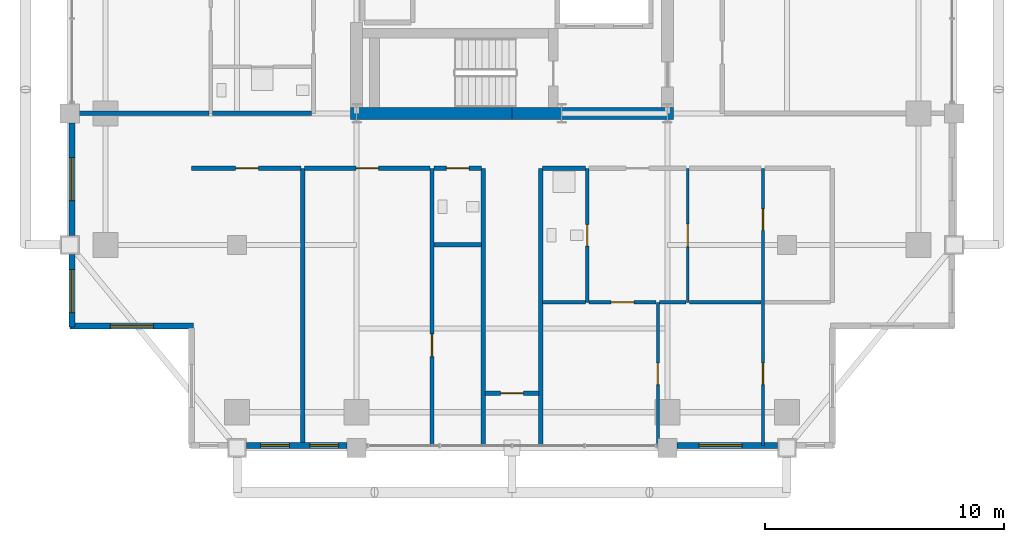
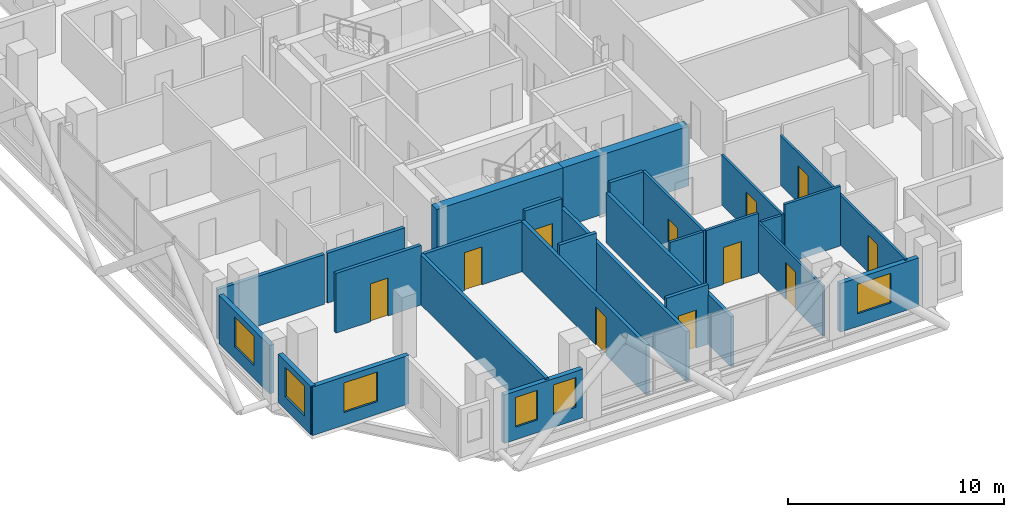
# One storey, part 20 of 26: 27 walls, 11 doors, 6 windows, 17 openings.
"""IFC4 building model written with IfcOpenShell, lengths in metres."""

from ifc_helpers import new_model, si_unit, direction, frame, frame_2d, origin, place, context, subcontext, project, spatial, rectangle, extrude, material, layer, layer_set, type_object, element, fill, save


model = new_model("IFC4")

# Units and contexts
model_context = context("Model", 3, precision=1e-05, world=origin(), true_north=direction((0.0, 1.0)))
body_context = subcontext(model_context, "Body", "Model", "MODEL_VIEW")
ifc_project = project(units=[si_unit("LENGTHUNIT", "METRE"), si_unit("AREAUNIT", "SQUARE_METRE"), si_unit("VOLUMEUNIT", "CUBIC_METRE"), si_unit("PLANEANGLEUNIT", "RADIAN"), si_unit("MASSUNIT", "GRAM", prefix="KILO")], contexts=[model_context])

# Site, building, storey
site_placement = place(None, origin())
site = spatial("IfcSite", under=ifc_project, at=site_placement, CompositionType="ELEMENT")
building_placement = place(site_placement, origin())
building = spatial("IfcBuilding", under=site, at=building_placement, Name="Barlavira Tower and Art Museum", CompositionType="ELEMENT")
storey_placement = place(building_placement, frame((0.0, 0.0, 187.199951171875)))
storey = spatial("IfcBuildingStorey", under=building, at=storey_placement, Name="L48", CompositionType="ELEMENT", Elevation=187.199951171875)

# Wall, opening, door
ifc_material_1 = material(Name="Gypsum acoustic stud partition", Category="gypsum")
ifc_layer_1 = layer(ifc_material_1, 0.1201171875, Name="Gypsum acoustic stud partition")
ifc_layer_set_1 = layer_set([ifc_layer_1], Name="Gypsum acoustic stud partition")
wall_type_1 = type_object("IfcWallType", Name="Apartment Internal Acoustic Partition 120", PredefinedType="PARTITIONING", material=ifc_layer_set_1)
wall_1_placement = place(storey_placement, frame((6.10009765625, -21.39990234375, 0.0), z_axis=(0.0, 0.0, 1.0), x_axis=(0.0, 1.0, 0.0)))
wall_1 = element("IfcWall", 1, at=wall_1_placement, inside=storey, type_object=wall_type_1, Name="L48 Partition Wall 18", PredefinedType="PARTITIONING", context=body_context, shape_type="SweptSolid", body=[
    extrude(rectangle(XDim=6.0, YDim=0.1201171875, at=frame_2d((3.0, 0.0))), origin(), (0.0, 0.0, 1.0), 2.825927734375),
])
opening_1_placement = place(wall_1_placement, frame((2.550048828125, 0.0, 0.0)))
opening_1 = element("IfcOpeningElement", 2, at=opening_1_placement, cuts=wall_1, Name="Opening D-01", PredefinedType="OPENING", context=body_context, shape_type="SweptSolid", body=[
    extrude(rectangle(XDim=0.89990234375, YDim=2.10009765625, at=frame_2d((0.449951171875, 1.050048828125))), frame((0.0, 0.070068359375, 0.0), z_axis=(0.0, -1.0, 0.0), x_axis=(1.0, 0.0, 0.0)), (0.0, 0.0, 1.0), 0.14013671875),
])
ifc_material_2 = material(Name="Engineered coastal hardwood", Category="wood")
door_type_1 = type_object("IfcDoorType", Name="Internal Bedroom Timber Flush Door 900x2100", OperationType="NOTDEFINED", PredefinedType="DOOR", material=ifc_material_2)
door_1_placement = place(opening_1_placement, origin())
door_1 = element("IfcDoor", 3, at=door_1_placement, inside=storey, type_object=door_type_1, Name="Apartment SE1 Bedroom 1 Door", OperationType="SINGLE_SWING_LEFT", OverallHeight=2.10009765625, OverallWidth=0.89990234375, PredefinedType="DOOR", context=body_context, shape_type="SweptSolid", body=[
    extrude(rectangle(XDim=0.89990234375, YDim=2.10009765625, at=frame_2d((0.449951171875, 1.050048828125))), frame((0.0, 0.02490234375, 0.0), z_axis=(0.0, -1.0, 0.0), x_axis=(1.0, 0.0, 0.0)), (0.0, 0.0, 1.0), 0.050048828125),
])
fill(opening_1, door_1)

wall_2_placement = place(storey_placement, frame((7.35009765625, -15.39990234375, 0.0), z_axis=(0.0, 0.0, 1.0), x_axis=(0.0, 1.0, 0.0)))
wall_2 = element("IfcWall", 4, at=wall_2_placement, inside=storey, type_object=wall_type_1, Name="L48 Partition Wall 20", PredefinedType="PARTITIONING", context=body_context, shape_type="SweptSolid", body=[
    extrude(rectangle(XDim=5.599853515625, YDim=0.1201171875, at=frame_2d((2.7998046875, 0.0))), origin(), (0.0, 0.0, 1.0), 2.825927734375),
])
opening_2_placement = place(wall_2_placement, frame((2.324951171875, 0.0, 0.0)))
opening_2 = element("IfcOpeningElement", 5, at=opening_2_placement, cuts=wall_2, Name="Opening D-02", PredefinedType="OPENING", context=body_context, shape_type="SweptSolid", body=[
    extrude(rectangle(XDim=0.949951171875, YDim=2.10009765625, at=frame_2d((0.47509765625, 1.050048828125))), frame((0.0, 0.070068359375, 0.0), z_axis=(0.0, -1.0, 0.0), x_axis=(1.0, 0.0, 0.0)), (0.0, 0.0, 1.0), 0.14013671875),
])
door_type_2 = type_object("IfcDoorType", Name="Living and Salon Glazed-Leaf Door 950x2100", OperationType="NOTDEFINED", PredefinedType="DOOR", material=ifc_material_2)
door_2_placement = place(opening_2_placement, origin())
door_2 = element("IfcDoor", 6, at=door_2_placement, inside=storey, type_object=door_type_2, Name="Apartment SE1 Kitchen Door", OperationType="SINGLE_SWING_RIGHT", OverallHeight=2.10009765625, OverallWidth=0.949951171875, PredefinedType="DOOR", context=body_context, shape_type="SweptSolid", body=[
    extrude(rectangle(XDim=0.949951171875, YDim=2.10009765625, at=frame_2d((0.47509765625, 1.050048828125))), frame((0.0, 0.02490234375, 0.0), z_axis=(0.0, -1.0, 0.0), x_axis=(1.0, 0.0, 0.0)), (0.0, 0.0, 1.0), 0.050048828125),
])
fill(opening_2, door_2)

# Wall, openings, doors
wall_3_placement = place(storey_placement, frame((10.5, -21.39990234375, 0.0), z_axis=(0.0, 0.0, 1.0), x_axis=(0.0, 1.0, 0.0)))
wall_3 = element("IfcWall", 7, at=wall_3_placement, inside=storey, type_object=wall_type_1, Name="L48 Partition Wall 23", PredefinedType="PARTITIONING", context=body_context, shape_type="SweptSolid", body=[
    extrude(rectangle(XDim=11.599853515625, YDim=0.1201171875, at=frame_2d((5.7998046875, 0.0))), origin(), (0.0, 0.0, 1.0), 2.825927734375),
])
opening_3_placement = place(wall_3_placement, frame((9.005859375, 0.0, 0.0)))
opening_3 = element("IfcOpeningElement", 8, at=opening_3_placement, cuts=wall_3, Name="Opening D-01", PredefinedType="OPENING", context=body_context, shape_type="SweptSolid", body=[
    extrude(rectangle(XDim=0.89990234375, YDim=2.10009765625, at=frame_2d((0.449951171875, 1.050048828125))), frame((0.0, 0.070068359375, 0.0), z_axis=(0.0, -1.0, 0.0), x_axis=(1.0, 0.0, 0.0)), (0.0, 0.0, 1.0), 0.14013671875),
])
opening_4_placement = place(wall_3_placement, frame((2.550048828125, 0.0, 0.0)))
opening_4 = element("IfcOpeningElement", 9, at=opening_4_placement, cuts=wall_3, Name="Opening D-01", PredefinedType="OPENING", context=body_context, shape_type="SweptSolid", body=[
    extrude(rectangle(XDim=0.89990234375, YDim=2.10009765625, at=frame_2d((0.449951171875, 1.050048828125))), frame((0.0, 0.070068359375, 0.0), z_axis=(0.0, -1.0, 0.0), x_axis=(1.0, 0.0, 0.0)), (0.0, 0.0, 1.0), 0.14013671875),
])
door_3_placement = place(opening_3_placement, origin())
door_3 = element("IfcDoor", 10, at=door_3_placement, inside=storey, type_object=door_type_1, Name="Apartment SE1 Walk-In Dressing Room Door", OperationType="SINGLE_SWING_LEFT", OverallHeight=2.10009765625, OverallWidth=0.89990234375, PredefinedType="DOOR", context=body_context, shape_type="SweptSolid", body=[
    extrude(rectangle(XDim=0.89990234375, YDim=2.10009765625, at=frame_2d((0.449951171875, 1.050048828125))), frame((0.0, 0.02490234375, 0.0), z_axis=(0.0, -1.0, 0.0), x_axis=(1.0, 0.0, 0.0)), (0.0, 0.0, 1.0), 0.050048828125),
])
fill(opening_3, door_3)
door_4_placement = place(opening_4_placement, origin())
door_4 = element("IfcDoor", 11, at=door_4_placement, inside=storey, type_object=door_type_1, Name="Apartment SE1 Bedroom 2 Door", OperationType="SINGLE_SWING_RIGHT", OverallHeight=2.10009765625, OverallWidth=0.89990234375, PredefinedType="DOOR", context=body_context, shape_type="SweptSolid", body=[
    extrude(rectangle(XDim=0.89990234375, YDim=2.10009765625, at=frame_2d((0.449951171875, 1.050048828125))), frame((0.0, 0.02490234375, 0.0), z_axis=(0.0, -1.0, 0.0), x_axis=(1.0, 0.0, 0.0)), (0.0, 0.0, 1.0), 0.050048828125),
])
fill(opening_4, door_4)

# Walls
ifc_material_3 = material(Name="Concrete C60", Category="concrete")
ifc_layer_2 = layer(ifc_material_3, 0.5, Name="Concrete C60")
ifc_layer_set_2 = layer_set([ifc_layer_2], Name="Concrete C60")
wall_type_2 = type_object("IfcWallType", Name="Core Structural Shear Wall 500 Concrete C60", PredefinedType="SHEAR", material=ifc_layer_set_2)
for number, where, z_axis, x_axis, name in (
    (12, (-6.75, -7.5, 0.0), (0.0, 0.0, 1.0), (1.0, 0.0, 0.0), "L48 Core Shear Wall CS-SW"),
    (13, (0.0, -7.5, 0.0), (0.0, 0.0, 1.0), (1.0, 0.0, 0.0), "L48 Core Shear Wall CS-SE"),
):
    element("IfcWall", number, at=place(storey_placement, frame(where, z_axis=z_axis, x_axis=x_axis)), inside=storey, type_object=wall_type_2, Name=name, PredefinedType="SHEAR", context=body_context, shape_type="SweptSolid", body=[
        extrude(rectangle(XDim=6.75, YDim=0.5, at=frame_2d((3.375, 0.0))), origin(), (0.0, 0.0, 1.0), 3.380126953125),
    ])
ifc_layer_3 = layer(ifc_material_1, 0.179931640625, Name="Gypsum acoustic stud partition")
ifc_layer_set_3 = layer_set([ifc_layer_3], Name="Gypsum acoustic stud partition")
wall_type_3 = type_object("IfcWallType", Name="Inter-Tenancy Party Partition Wall 180", PredefinedType="PARTITIONING", material=ifc_layer_set_3)
wall_4_placement = place(storey_placement, frame((-8.75, -21.39990234375, 0.0), z_axis=(0.0, 0.0, 1.0), x_axis=(0.0, 1.0, 0.0)))
element("IfcWall", 14, at=wall_4_placement, inside=storey, type_object=wall_type_3, Name="L48 Partition Wall 4", PredefinedType="PARTITIONING", context=body_context, shape_type="SweptSolid", body=[
    extrude(rectangle(XDim=11.599853515625, YDim=0.179931640625, at=frame_2d((5.7998046875, 0.0))), origin(), (0.0, 0.0, 1.0), 2.825927734375),
])

# Wall, opening, door
wall_5_placement = place(storey_placement, frame((-3.35009765625, -21.39990234375, 0.0), z_axis=(0.0, 0.0, 1.0), x_axis=(0.0, 1.0, 0.0)))
wall_5 = element("IfcWall", 15, at=wall_5_placement, inside=storey, type_object=wall_type_3, Name="L48 Partition Wall 10", PredefinedType="PARTITIONING", context=body_context, shape_type="SweptSolid", body=[
    extrude(rectangle(XDim=11.599853515625, YDim=0.179931640625, at=frame_2d((5.7998046875, 0.0))), origin(), (0.0, 0.0, 1.0), 2.825927734375),
])
opening_5_placement = place(wall_5_placement, frame((3.72509765625, 0.0, 0.0)))
opening_5 = element("IfcOpeningElement", 16, at=opening_5_placement, cuts=wall_5, Name="Opening FD-60", PredefinedType="OPENING", context=body_context, shape_type="SweptSolid", body=[
    extrude(rectangle(XDim=0.949951171875, YDim=2.14990234375, at=frame_2d((0.47509765625, 1.074951171875))), frame((0.0, 0.10009765625, 0.0), z_axis=(0.0, -1.0, 0.0), x_axis=(1.0, 0.0, 0.0)), (0.0, 0.0, 1.0), 0.199951171875),
])
ifc_material_4 = material(Name="Brushed stainless steel", Category="steel")
door_type_3 = type_object("IfcDoorType", Name="Apartment Entrance and Riser Fire Door 950x2150 FD60S", OperationType="NOTDEFINED", PredefinedType="DOOR", material=ifc_material_4)
door_5_placement = place(opening_5_placement, origin())
door_5 = element("IfcDoor", 17, at=door_5_placement, inside=storey, type_object=door_type_3, Name="Thermal Relaxation Lounge Door", OperationType="SINGLE_SWING_LEFT", OverallHeight=2.14990234375, OverallWidth=0.949951171875, PredefinedType="DOOR", context=body_context, shape_type="SweptSolid", body=[
    extrude(rectangle(XDim=0.949951171875, YDim=2.14990234375, at=frame_2d((0.47509765625, 1.074951171875))), frame((0.0, 0.02490234375, 0.0), z_axis=(0.0, -1.0, 0.0), x_axis=(1.0, 0.0, 0.0)), (0.0, 0.0, 1.0), 0.050048828125),
])
fill(opening_5, door_5)

# Walls
for number, where, z_axis, x_axis, name in (
    (18, (-1.199951171875, -21.39990234375, 0.0), (0.0, 0.0, 1.0), (0.0, 1.0, 0.0), "L48 Partition Wall 11"),
    (19, (1.199951171875, -21.39990234375, 0.0), (0.0, 0.0, 1.0), (0.0, 1.0, 0.0), "L48 Partition Wall 13"),
):
    element("IfcWall", number, at=place(storey_placement, frame(where, z_axis=z_axis, x_axis=x_axis)), inside=storey, type_object=wall_type_3, Name=name, PredefinedType="PARTITIONING", context=body_context, shape_type="SweptSolid", body=[
        extrude(rectangle(XDim=11.599853515625, YDim=0.179931640625, at=frame_2d((5.7998046875, 0.0))), origin(), (0.0, 0.0, 1.0), 2.825927734375),
    ])

# Wall, opening, door
wall_6_placement = place(storey_placement, frame((-1.1201171875, -19.199951171875, 0.0), z_axis=(0.0, 0.0, 1.0), x_axis=(1.0, 0.0, 0.0)))
wall_6 = element("IfcWall", 20, at=wall_6_placement, inside=storey, type_object=wall_type_3, Name="L48 Partition Wall 27", PredefinedType="PARTITIONING", context=body_context, shape_type="SweptSolid", body=[
    extrude(rectangle(XDim=2.240234375, YDim=0.179931640625, at=frame_2d((1.1201171875, 0.0))), origin(), (0.0, 0.0, 1.0), 3.380126953125),
])
opening_6_placement = place(wall_6_placement, frame((0.64501953125, 0.0, 0.0)))
opening_6 = element("IfcOpeningElement", 21, at=opening_6_placement, cuts=wall_6, Name="Opening FD-60", PredefinedType="OPENING", context=body_context, shape_type="SweptSolid", body=[
    extrude(rectangle(XDim=0.949951171875, YDim=2.14990234375, at=frame_2d((0.47509765625, 1.074951171875))), frame((0.0, 0.10009765625, 0.0), z_axis=(0.0, -1.0, 0.0), x_axis=(1.0, 0.0, 0.0)), (0.0, 0.0, 1.0), 0.199951171875),
])
door_6_placement = place(opening_6_placement, origin())
door_6 = element("IfcDoor", 22, at=door_6_placement, inside=storey, type_object=door_type_3, Name="L48 South Horizon Reading Alcove Door", OperationType="SINGLE_SWING_LEFT", OverallHeight=2.14990234375, OverallWidth=0.949951171875, PredefinedType="DOOR", context=body_context, shape_type="SweptSolid", body=[
    extrude(rectangle(XDim=0.949951171875, YDim=2.14990234375, at=frame_2d((0.47509765625, 1.074951171875))), frame((0.0, 0.02490234375, 0.0), z_axis=(0.0, -1.0, 0.0), x_axis=(1.0, 0.0, 0.0)), (0.0, 0.0, 1.0), 0.050048828125),
])
fill(opening_6, door_6)

# Wall
wall_7_placement = place(storey_placement, frame((-3.27001953125, -13.0, 0.0), z_axis=(0.0, 0.0, 1.0), x_axis=(1.0, 0.0, 0.0)))
element("IfcWall", 23, at=wall_7_placement, inside=storey, type_object=wall_type_3, Name="L48 Partition Wall 33", PredefinedType="PARTITIONING", context=body_context, shape_type="SweptSolid", body=[
    extrude(rectangle(XDim=1.989990234375, YDim=0.179931640625, at=frame_2d((0.9951171875, 0.0))), origin(), (0.0, 0.0, 1.0), 3.380126953125),
])

# Wall, opening, door
wall_8_placement = place(storey_placement, frame((-13.39990234375, -9.800048828125, 0.0), z_axis=(0.0, 0.0, 1.0), x_axis=(1.0, 0.0, 0.0)))
wall_8 = element("IfcWall", 24, at=wall_8_placement, inside=storey, type_object=wall_type_3, Name="L48 Partition Wall 34", PredefinedType="PARTITIONING", context=body_context, shape_type="SweptSolid", body=[
    extrude(rectangle(XDim=4.56982421875, YDim=0.179931640625, at=frame_2d((2.284912109375, 0.0))), origin(), (0.0, 0.0, 1.0), 3.380126953125),
])
opening_7_placement = place(wall_8_placement, frame((1.844970703125, 0.0, 0.0)))
opening_7 = element("IfcOpeningElement", 25, at=opening_7_placement, cuts=wall_8, Name="Opening FD-60", PredefinedType="OPENING", context=body_context, shape_type="SweptSolid", body=[
    extrude(rectangle(XDim=0.949951171875, YDim=2.14990234375, at=frame_2d((0.47509765625, 1.074951171875))), frame((0.0, 0.10009765625, 0.0), z_axis=(0.0, -1.0, 0.0), x_axis=(1.0, 0.0, 0.0)), (0.0, 0.0, 1.0), 0.199951171875),
])
door_7_placement = place(opening_7_placement, origin())
door_7 = element("IfcDoor", 26, at=door_7_placement, inside=storey, type_object=door_type_3, Name="Resident Ocean-View Fitness Studio Door", OperationType="SINGLE_SWING_RIGHT", OverallHeight=2.14990234375, OverallWidth=0.949951171875, PredefinedType="DOOR", context=body_context, shape_type="SweptSolid", body=[
    extrude(rectangle(XDim=0.949951171875, YDim=2.14990234375, at=frame_2d((0.47509765625, 1.074951171875))), frame((0.0, 0.02490234375, 0.0), z_axis=(0.0, -1.0, 0.0), x_axis=(1.0, 0.0, 0.0)), (0.0, 0.0, 1.0), 0.050048828125),
])
fill(opening_7, door_7)

wall_9_placement = place(storey_placement, frame((-8.669921875, -9.800048828125, 0.0), z_axis=(0.0, 0.0, 1.0), x_axis=(1.0, 0.0, 0.0)))
wall_9 = element("IfcWall", 27, at=wall_9_placement, inside=storey, type_object=wall_type_3, Name="L48 Partition Wall 35", PredefinedType="PARTITIONING", context=body_context, shape_type="SweptSolid", body=[
    extrude(rectangle(XDim=5.239990234375, YDim=0.179931640625, at=frame_2d((2.6201171875, 0.0))), origin(), (0.0, 0.0, 1.0), 2.825927734375),
])
opening_8_placement = place(wall_9_placement, frame((2.14501953125, 0.0, 0.0)))
opening_8 = element("IfcOpeningElement", 28, at=opening_8_placement, cuts=wall_9, Name="Opening FD-60", PredefinedType="OPENING", context=body_context, shape_type="SweptSolid", body=[
    extrude(rectangle(XDim=0.949951171875, YDim=2.14990234375, at=frame_2d((0.47509765625, 1.074951171875))), frame((0.0, 0.10009765625, 0.0), z_axis=(0.0, -1.0, 0.0), x_axis=(1.0, 0.0, 0.0)), (0.0, 0.0, 1.0), 0.199951171875),
])
door_8_placement = place(opening_8_placement, origin())
door_8 = element("IfcDoor", 29, at=door_8_placement, inside=storey, type_object=door_type_3, Name="Coastal Hydrotherapy and Yoga Lounge Door", OperationType="SINGLE_SWING_LEFT", OverallHeight=2.14990234375, OverallWidth=0.949951171875, PredefinedType="DOOR", context=body_context, shape_type="SweptSolid", body=[
    extrude(rectangle(XDim=0.949951171875, YDim=2.14990234375, at=frame_2d((0.47509765625, 1.074951171875))), frame((0.0, 0.02490234375, 0.0), z_axis=(0.0, -1.0, 0.0), x_axis=(1.0, 0.0, 0.0)), (0.0, 0.0, 1.0), 0.050048828125),
])
fill(opening_8, door_8)

wall_10_placement = place(storey_placement, frame((-3.27001953125, -9.800048828125, 0.0), z_axis=(0.0, 0.0, 1.0), x_axis=(1.0, 0.0, 0.0)))
wall_10 = element("IfcWall", 30, at=wall_10_placement, inside=storey, type_object=wall_type_3, Name="L48 Partition Wall 36", PredefinedType="PARTITIONING", context=body_context, shape_type="SweptSolid", body=[
    extrude(rectangle(XDim=1.989990234375, YDim=0.179931640625, at=frame_2d((0.9951171875, 0.0))), origin(), (0.0, 0.0, 1.0), 3.380126953125),
])
opening_9_placement = place(wall_10_placement, frame((0.52490234375, 0.0, 0.0)))
opening_9 = element("IfcOpeningElement", 31, at=opening_9_placement, cuts=wall_10, Name="Opening FD-60", PredefinedType="OPENING", context=body_context, shape_type="SweptSolid", body=[
    extrude(rectangle(XDim=0.949951171875, YDim=2.14990234375, at=frame_2d((0.47509765625, 1.074951171875))), frame((0.0, 0.10009765625, 0.0), z_axis=(0.0, -1.0, 0.0), x_axis=(1.0, 0.0, 0.0)), (0.0, 0.0, 1.0), 0.199951171875),
])
door_9_placement = place(opening_9_placement, origin())
door_9 = element("IfcDoor", 32, at=door_9_placement, inside=storey, type_object=door_type_3, Name="Wellness Changing and Accessible Shower WC Door", OperationType="SINGLE_SWING_RIGHT", OverallHeight=2.14990234375, OverallWidth=0.949951171875, PredefinedType="DOOR", context=body_context, shape_type="SweptSolid", body=[
    extrude(rectangle(XDim=0.949951171875, YDim=2.14990234375, at=frame_2d((0.47509765625, 1.074951171875))), frame((0.0, 0.02490234375, 0.0), z_axis=(0.0, -1.0, 0.0), x_axis=(1.0, 0.0, 0.0)), (0.0, 0.0, 1.0), 0.050048828125),
])
fill(opening_9, door_9)

# Walls
wall_11_placement = place(storey_placement, frame((1.280029296875, -9.800048828125, 0.0), z_axis=(0.0, 0.0, 1.0), x_axis=(1.0, 0.0, 0.0)))
element("IfcWall", 33, at=wall_11_placement, inside=storey, type_object=wall_type_3, Name="L48 Partition Wall 37", PredefinedType="PARTITIONING", context=body_context, shape_type="SweptSolid", body=[
    extrude(rectangle(XDim=1.7900390625, YDim=0.179931640625, at=frame_2d((0.89501953125, 0.0))), origin(), (0.0, 0.0, 1.0), 3.380126953125),
])
wall_12_placement = place(storey_placement, frame((-18.39990234375, -7.5, 0.0), z_axis=(0.0, 0.0, 1.0), x_axis=(1.0, 0.0, 0.0)))
element("IfcWall", 34, at=wall_12_placement, inside=storey, type_object=wall_type_3, Name="L48 Partition Wall 41", PredefinedType="PARTITIONING", context=body_context, shape_type="SweptSolid", body=[
    extrude(rectangle(XDim=5.719970703125, YDim=0.179931640625, at=frame_2d((2.85986328125, 0.0))), origin(), (0.0, 0.0, 1.0), 2.825927734375),
])
wall_13_placement = place(storey_placement, frame((-12.52001953125, -7.5, 0.0), z_axis=(0.0, 0.0, 1.0), x_axis=(1.0, 0.0, 0.0)))
element("IfcWall", 35, at=wall_13_placement, inside=storey, type_object=wall_type_3, Name="L48 Partition Wall 42", PredefinedType="PARTITIONING", context=body_context, shape_type="SweptSolid", body=[
    extrude(rectangle(XDim=4.14013671875, YDim=0.179931640625, at=frame_2d((2.070068359375, 0.0))), origin(), (0.0, 0.0, 1.0), 2.825927734375),
])

# Wall, opening, door
ifc_layer_4 = layer(ifc_material_1, 0.139892578125, Name="Gypsum acoustic stud partition")
ifc_layer_set_4 = layer_set([ifc_layer_4], Name="Gypsum acoustic stud partition")
wall_type_4 = type_object("IfcWallType", Name="Moisture-Resistant Bathroom Partition 140", PredefinedType="PARTITIONING", material=ifc_layer_set_4)
wall_14_placement = place(storey_placement, frame((3.14990234375, -15.39990234375, 0.0), z_axis=(0.0, 0.0, 1.0), x_axis=(0.0, 1.0, 0.0)))
wall_14 = element("IfcWall", 36, at=wall_14_placement, inside=storey, type_object=wall_type_4, Name="L48 Partition Wall 15", PredefinedType="PARTITIONING", context=body_context, shape_type="SweptSolid", body=[
    extrude(rectangle(XDim=5.599853515625, YDim=0.139892578125, at=frame_2d((2.7998046875, 0.0))), origin(), (0.0, 0.0, 1.0), 3.380126953125),
])
opening_10_placement = place(wall_14_placement, frame((2.35009765625, 0.0, 0.0)))
opening_10 = element("IfcOpeningElement", 37, at=opening_10_placement, cuts=wall_14, Name="Opening D-WC", PredefinedType="OPENING", context=body_context, shape_type="SweptSolid", body=[
    extrude(rectangle(XDim=0.89990234375, YDim=2.10009765625, at=frame_2d((0.449951171875, 1.050048828125))), frame((0.0, 0.080078125, 0.0), z_axis=(0.0, -1.0, 0.0), x_axis=(1.0, 0.0, 0.0)), (0.0, 0.0, 1.0), 0.159912109375),
])
door_type_4 = type_object("IfcDoorType", Name="Accessible Bathroom Flush Door 900x2100", OperationType="NOTDEFINED", PredefinedType="DOOR", material=ifc_material_2)
door_10_placement = place(opening_10_placement, origin())
door_10 = element("IfcDoor", 38, at=door_10_placement, inside=storey, type_object=door_type_4, Name="Apartment SE1 Hall Bathroom Door", OperationType="SINGLE_SWING_RIGHT", OverallHeight=2.10009765625, OverallWidth=0.89990234375, PredefinedType="DOOR", context=body_context, shape_type="SweptSolid", body=[
    extrude(rectangle(XDim=0.89990234375, YDim=2.10009765625, at=frame_2d((0.449951171875, 1.050048828125))), frame((0.0, 0.02490234375, 0.0), z_axis=(0.0, -1.0, 0.0), x_axis=(1.0, 0.0, 0.0)), (0.0, 0.0, 1.0), 0.050048828125),
])
fill(opening_10, door_10)

# Wall
wall_15_placement = place(storey_placement, frame((1.280029296875, -15.39990234375, 0.0), z_axis=(0.0, 0.0, 1.0), x_axis=(1.0, 0.0, 0.0)))
element("IfcWall", 39, at=wall_15_placement, inside=storey, type_object=wall_type_4, Name="L48 Partition Wall 28", PredefinedType="PARTITIONING", context=body_context, shape_type="SweptSolid", body=[
    extrude(rectangle(XDim=1.7900390625, YDim=0.139892578125, at=frame_2d((0.89501953125, 0.0))), origin(), (0.0, 0.0, 1.0), 3.380126953125),
])

# Wall, opening, door
wall_16_placement = place(storey_placement, frame((3.22998046875, -15.39990234375, 0.0), z_axis=(0.0, 0.0, 1.0), x_axis=(1.0, 0.0, 0.0)))
wall_16 = element("IfcWall", 40, at=wall_16_placement, inside=storey, type_object=wall_type_4, Name="L48 Partition Wall 29", PredefinedType="PARTITIONING", context=body_context, shape_type="SweptSolid", body=[
    extrude(rectangle(XDim=2.7900390625, YDim=0.139892578125, at=frame_2d((1.39501953125, 0.0))), origin(), (0.0, 0.0, 1.0), 3.380126953125),
])
opening_11_placement = place(wall_16_placement, frame((0.9150390625, 0.0, 0.0)))
opening_11 = element("IfcOpeningElement", 41, at=opening_11_placement, cuts=wall_16, Name="Opening D-02", PredefinedType="OPENING", context=body_context, shape_type="SweptSolid", body=[
    extrude(rectangle(XDim=0.949951171875, YDim=2.10009765625, at=frame_2d((0.47509765625, 1.050048828125))), frame((0.0, 0.080078125, 0.0), z_axis=(0.0, -1.0, 0.0), x_axis=(1.0, 0.0, 0.0)), (0.0, 0.0, 1.0), 0.159912109375),
])
door_11_placement = place(opening_11_placement, origin())
door_11 = element("IfcDoor", 42, at=door_11_placement, inside=storey, type_object=door_type_2, Name="Apartment SE1 Living Lounge Door", OperationType="SINGLE_SWING_RIGHT", OverallHeight=2.10009765625, OverallWidth=0.949951171875, PredefinedType="DOOR", context=body_context, shape_type="SweptSolid", body=[
    extrude(rectangle(XDim=0.949951171875, YDim=2.10009765625, at=frame_2d((0.47509765625, 1.050048828125))), frame((0.0, 0.02490234375, 0.0), z_axis=(0.0, -1.0, 0.0), x_axis=(1.0, 0.0, 0.0)), (0.0, 0.0, 1.0), 0.050048828125),
])
fill(opening_11, door_11)

# Walls
wall_17_placement = place(storey_placement, frame((6.179931640625, -15.39990234375, 0.0), z_axis=(0.0, 0.0, 1.0), x_axis=(1.0, 0.0, 0.0)))
element("IfcWall", 43, at=wall_17_placement, inside=storey, type_object=wall_type_4, Name="L48 Partition Wall 30", PredefinedType="PARTITIONING", context=body_context, shape_type="SweptSolid", body=[
    extrude(rectangle(XDim=1.090087890625, YDim=0.139892578125, at=frame_2d((0.544921875, 0.0))), origin(), (0.0, 0.0, 1.0), 2.825927734375),
])
wall_18_placement = place(storey_placement, frame((7.429931640625, -15.39990234375, 0.0), z_axis=(0.0, 0.0, 1.0), x_axis=(1.0, 0.0, 0.0)))
element("IfcWall", 44, at=wall_18_placement, inside=storey, type_object=wall_type_4, Name="L48 Partition Wall 31", PredefinedType="PARTITIONING", context=body_context, shape_type="SweptSolid", body=[
    extrude(rectangle(XDim=2.989990234375, YDim=0.139892578125, at=frame_2d((1.4951171875, 0.0))), origin(), (0.0, 0.0, 1.0), 3.380126953125),
])

# Wall, openings, windows
ifc_material_5 = material(Name="Precast concrete C40", Category="concrete")
ifc_layer_5 = layer(ifc_material_5, 0.25, Name="Precast concrete C40")
ifc_layer_set_5 = layer_set([ifc_layer_5], Name="Precast concrete C40")
wall_type_5 = type_object("IfcWallType", Name="Notched Corner Spandrel Wall 250 Precast Concrete C40", PredefinedType="SOLIDWALL", material=ifc_layer_set_5)
wall_19_placement = place(storey_placement, frame((-11.10498046875, -21.39990234375, 0.0), z_axis=(0.0, 0.0, 1.0), x_axis=(1.0, 0.0, 0.0)))
wall_19 = element("IfcWall", 45, at=wall_19_placement, inside=storey, type_object=wall_type_5, Name="L48 Coastal Facade Pier Wall CW3-L48-S-2", PredefinedType="SOLIDWALL", context=body_context, shape_type="SweptSolid", body=[
    extrude(rectangle(XDim=4.2099609375, YDim=0.25, at=frame_2d((2.10498046875, 0.0))), origin(), (0.0, 0.0, 1.0), 2.748046875),
])
opening_12_placement = place(wall_19_placement, frame((0.594970703125, 0.0, 0.719970703125)))
opening_12 = element("IfcOpeningElement", 46, at=opening_12_placement, cuts=wall_19, Name="Opening WN-05", PredefinedType="OPENING", context=body_context, shape_type="SweptSolid", body=[
    extrude(rectangle(XDim=1.199951171875, YDim=1.679931640625, at=frame_2d((0.60009765625, 0.83984375))), frame((0.0, 0.135009765625, 0.0), z_axis=(0.0, -1.0, 0.0), x_axis=(1.0, 0.0, 0.0)), (0.0, 0.0, 1.0), 0.27001953125),
])
opening_13_placement = place(wall_19_placement, frame((2.655029296875, 0.0, 0.719970703125)))
opening_13 = element("IfcOpeningElement", 47, at=opening_13_placement, cuts=wall_19, Name="Opening WN-05", PredefinedType="OPENING", context=body_context, shape_type="SweptSolid", body=[
    extrude(rectangle(XDim=1.199951171875, YDim=1.679931640625, at=frame_2d((0.60009765625, 0.83984375))), frame((0.0, 0.135009765625, 0.0), z_axis=(0.0, -1.0, 0.0), x_axis=(1.0, 0.0, 0.0)), (0.0, 0.0, 1.0), 0.27001953125),
])
ifc_material_6 = material(Name="Low-iron coastal laminated glass", Category="glass")
window_type_1 = type_object("IfcWindowType", Name="Recessed Flank Pier Punch Window 1200x1680", PartitioningType="SINGLE_PANEL", PredefinedType="WINDOW", material=ifc_material_6)
window_1_placement = place(opening_12_placement, origin())
window_1 = element("IfcWindow", 48, at=window_1_placement, inside=storey, type_object=window_type_1, Name="L48 Punched Facade Window EWP-CW3-L48-S-2-1", OverallHeight=1.679931640625, OverallWidth=1.199951171875, PartitioningType="SINGLE_PANEL", PredefinedType="WINDOW", context=body_context, shape_type="SweptSolid", body=[
    extrude(rectangle(XDim=1.199951171875, YDim=1.679931640625, at=frame_2d((0.60009765625, 0.83984375))), frame((0.0, 0.030029296875, 0.0), z_axis=(0.0, -1.0, 0.0), x_axis=(1.0, 0.0, 0.0)), (0.0, 0.0, 1.0), 0.06005859375),
])
fill(opening_12, window_1)
window_2_placement = place(opening_13_placement, origin())
window_2 = element("IfcWindow", 49, at=window_2_placement, inside=storey, type_object=window_type_1, Name="L48 Punched Facade Window EWP-CW3-L48-S-2-2", OverallHeight=1.679931640625, OverallWidth=1.199951171875, PartitioningType="SINGLE_PANEL", PredefinedType="WINDOW", context=body_context, shape_type="SweptSolid", body=[
    extrude(rectangle(XDim=1.199951171875, YDim=1.679931640625, at=frame_2d((0.60009765625, 0.83984375))), frame((0.0, 0.030029296875, 0.0), z_axis=(0.0, -1.0, 0.0), x_axis=(1.0, 0.0, 0.0)), (0.0, 0.0, 1.0), 0.06005859375),
])
fill(opening_13, window_2)

# Wall, opening, window
wall_20_placement = place(storey_placement, frame((6.89501953125, -21.39990234375, 0.0), z_axis=(0.0, 0.0, 1.0), x_axis=(1.0, 0.0, 0.0)))
wall_20 = element("IfcWall", 50, at=wall_20_placement, inside=storey, type_object=wall_type_5, Name="L48 Coastal Facade Pier Wall CW3-L48-S-4", PredefinedType="SOLIDWALL", context=body_context, shape_type="SweptSolid", body=[
    extrude(rectangle(XDim=4.2099609375, YDim=0.25, at=frame_2d((2.10498046875, 0.0))), origin(), (0.0, 0.0, 1.0), 2.748046875),
])
opening_14_placement = place(wall_20_placement, frame((0.93505859375, 0.0, 0.719970703125)))
opening_14 = element("IfcOpeningElement", 51, at=opening_14_placement, cuts=wall_20, Name="Opening WN-01", PredefinedType="OPENING", context=body_context, shape_type="SweptSolid", body=[
    extrude(rectangle(XDim=1.800048828125, YDim=1.679931640625, at=frame_2d((0.89990234375, 0.83984375))), frame((0.0, 0.135009765625, 0.0), z_axis=(0.0, -1.0, 0.0), x_axis=(1.0, 0.0, 0.0)), (0.0, 0.0, 1.0), 0.27001953125),
])
window_type_2 = type_object("IfcWindowType", Name="Recessed Notch Corner Punch Window 1800x1680", PartitioningType="SINGLE_PANEL", PredefinedType="WINDOW", material=ifc_material_6)
window_3_placement = place(opening_14_placement, origin())
window_3 = element("IfcWindow", 52, at=window_3_placement, inside=storey, type_object=window_type_2, Name="L48 Punched Facade Window EWP-CW3-L48-S-4-1", OverallHeight=1.679931640625, OverallWidth=1.800048828125, PartitioningType="SINGLE_PANEL", PredefinedType="WINDOW", context=body_context, shape_type="SweptSolid", body=[
    extrude(rectangle(XDim=1.800048828125, YDim=1.679931640625, at=frame_2d((0.89990234375, 0.83984375))), frame((0.0, 0.030029296875, 0.0), z_axis=(0.0, -1.0, 0.0), x_axis=(1.0, 0.0, 0.0)), (0.0, 0.0, 1.0), 0.06005859375),
])
fill(opening_14, window_3)

wall_21_placement = place(storey_placement, frame((-18.39990234375, -7.89501953125, 0.0), z_axis=(0.0, 0.0, 1.0), x_axis=(0.0, -1.0, 0.0)))
wall_21 = element("IfcWall", 53, at=wall_21_placement, inside=storey, type_object=wall_type_5, Name="L48 Coastal Facade Pier Wall CW3-L48-W-4", PredefinedType="SOLIDWALL", context=body_context, shape_type="SweptSolid", body=[
    extrude(rectangle(XDim=4.7099609375, YDim=0.25, at=frame_2d((2.35498046875, 0.0))), origin(), (0.0, 0.0, 1.0), 2.748046875),
])
opening_15_placement = place(wall_21_placement, frame((1.455078125, 0.0, 0.719970703125)))
opening_15 = element("IfcOpeningElement", 54, at=opening_15_placement, cuts=wall_21, Name="Opening WN-01", PredefinedType="OPENING", context=body_context, shape_type="SweptSolid", body=[
    extrude(rectangle(XDim=1.800048828125, YDim=1.679931640625, at=frame_2d((0.89990234375, 0.83984375))), frame((0.0, 0.135009765625, 0.0), z_axis=(0.0, -1.0, 0.0), x_axis=(1.0, 0.0, 0.0)), (0.0, 0.0, 1.0), 0.27001953125),
])
window_4_placement = place(opening_15_placement, origin())
window_4 = element("IfcWindow", 55, at=window_4_placement, inside=storey, type_object=window_type_2, Name="L48 Punched Facade Window EWP-CW3-L48-W-4-1", OverallHeight=1.679931640625, OverallWidth=1.800048828125, PartitioningType="SINGLE_PANEL", PredefinedType="WINDOW", context=body_context, shape_type="SweptSolid", body=[
    extrude(rectangle(XDim=1.800048828125, YDim=1.679931640625, at=frame_2d((0.89990234375, 0.83984375))), frame((0.0, 0.030029296875, 0.0), z_axis=(0.0, -1.0, 0.0), x_axis=(1.0, 0.0, 0.0)), (0.0, 0.0, 1.0), 0.06005859375),
])
fill(opening_15, window_4)

wall_22_placement = place(storey_placement, frame((-18.39990234375, -13.39501953125, 0.0), z_axis=(0.0, 0.0, 1.0), x_axis=(0.0, -1.0, 0.0)))
wall_22 = element("IfcWall", 56, at=wall_22_placement, inside=storey, type_object=wall_type_5, Name="L48 Coastal Facade Pier Wall CW3-L48-W-5", PredefinedType="SOLIDWALL", context=body_context, shape_type="SweptSolid", body=[
    extrude(rectangle(XDim=3.030029296875, YDim=0.25, at=frame_2d((1.51513671875, 0.0))), origin(), (0.0, 0.0, 1.0), 2.748046875),
])
opening_16_placement = place(wall_22_placement, frame((0.637939453125, 0.0, 0.719970703125)))
opening_16 = element("IfcOpeningElement", 57, at=opening_16_placement, cuts=wall_22, Name="Opening WN-01", PredefinedType="OPENING", context=body_context, shape_type="SweptSolid", body=[
    extrude(rectangle(XDim=1.800048828125, YDim=1.679931640625, at=frame_2d((0.89990234375, 0.83984375))), frame((0.0, 0.135009765625, 0.0), z_axis=(0.0, -1.0, 0.0), x_axis=(1.0, 0.0, 0.0)), (0.0, 0.0, 1.0), 0.27001953125),
])
window_5_placement = place(opening_16_placement, origin())
window_5 = element("IfcWindow", 58, at=window_5_placement, inside=storey, type_object=window_type_2, Name="L48 Punched Facade Window EWP-CW3-L48-W-5-1", OverallHeight=1.679931640625, OverallWidth=1.800048828125, PartitioningType="SINGLE_PANEL", PredefinedType="WINDOW", context=body_context, shape_type="SweptSolid", body=[
    extrude(rectangle(XDim=1.800048828125, YDim=1.679931640625, at=frame_2d((0.89990234375, 0.83984375))), frame((0.0, 0.030029296875, 0.0), z_axis=(0.0, -1.0, 0.0), x_axis=(1.0, 0.0, 0.0)), (0.0, 0.0, 1.0), 0.06005859375),
])
fill(opening_16, window_5)

wall_23_placement = place(storey_placement, frame((-18.47998046875, -16.39990234375, 0.0), z_axis=(0.0, 0.0, 1.0), x_axis=(1.0, 0.0, 0.0)))
wall_23 = element("IfcWall", 59, at=wall_23_placement, inside=storey, type_object=wall_type_5, Name="L48 Notch Corner Wall SW1", PredefinedType="SOLIDWALL", context=body_context, shape_type="SweptSolid", body=[
    extrude(rectangle(XDim=5.159912109375, YDim=0.25, at=frame_2d((2.580078125, 0.0))), origin(), (0.0, 0.0, 1.0), 2.748046875),
])
opening_17_placement = place(wall_23_placement, frame((1.679931640625, 0.0, 0.719970703125)))
opening_17 = element("IfcOpeningElement", 60, at=opening_17_placement, cuts=wall_23, Name="Opening WN-01", PredefinedType="OPENING", context=body_context, shape_type="SweptSolid", body=[
    extrude(rectangle(XDim=1.800048828125, YDim=1.679931640625, at=frame_2d((0.89990234375, 0.83984375))), frame((0.0, 0.135009765625, 0.0), z_axis=(0.0, -1.0, 0.0), x_axis=(1.0, 0.0, 0.0)), (0.0, 0.0, 1.0), 0.27001953125),
])
window_6_placement = place(opening_17_placement, origin())
window_6 = element("IfcWindow", 61, at=window_6_placement, inside=storey, type_object=window_type_2, Name="L48 Punched Facade Window EW-NTC-L48-SW1-1", OverallHeight=1.679931640625, OverallWidth=1.800048828125, PartitioningType="SINGLE_PANEL", PredefinedType="WINDOW", context=body_context, shape_type="SweptSolid", body=[
    extrude(rectangle(XDim=1.800048828125, YDim=1.679931640625, at=frame_2d((0.89990234375, 0.83984375))), frame((0.0, 0.030029296875, 0.0), z_axis=(0.0, -1.0, 0.0), x_axis=(1.0, 0.0, 0.0)), (0.0, 0.0, 1.0), 0.06005859375),
])
fill(opening_17, window_6)

save(model, "model.ifc")
